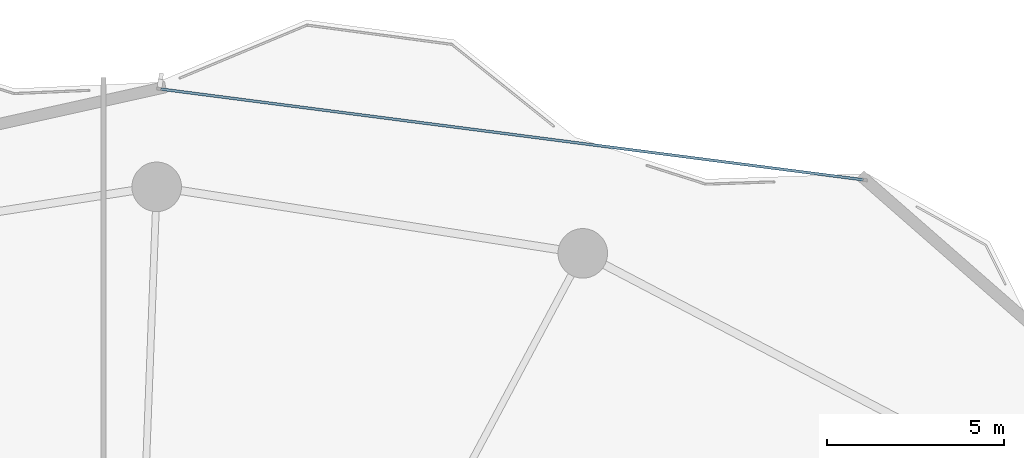
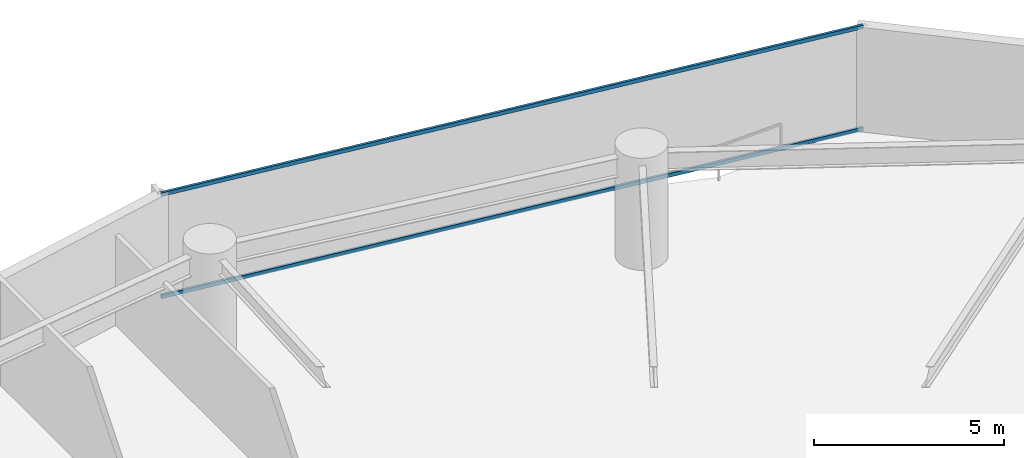
# One storey, part 21 of 32: 2 members, 1 element without a shape of its own.
"""IFC4 building model written with IfcOpenShell, lengths in metres."""

from ifc_helpers import new_model, si_unit, direction, frame, origin, origin_2d, place, context, subcontext, project, spatial, hollow_rectangle, extrude, material, layer, layer_set, material_profile, profile_set, type_object, element, aggregate, save


model = new_model("IFC4")

# Units and contexts
model_context = context("Model", 3, precision=1e-05, world=origin(), true_north=direction((0.0, 1.0)))
body_context = subcontext(model_context, "Body", "Model", "MODEL_VIEW")
ifc_project = project(units=[si_unit("LENGTHUNIT", "METRE"), si_unit("AREAUNIT", "SQUARE_METRE"), si_unit("VOLUMEUNIT", "CUBIC_METRE"), si_unit("PLANEANGLEUNIT", "RADIAN"), si_unit("MASSUNIT", "GRAM", prefix="KILO")], contexts=[model_context])

# Site, building, storey
site_placement = place(None, origin())
site = spatial("IfcSite", under=ifc_project, at=site_placement, CompositionType="ELEMENT")
building_placement = place(site_placement, origin())
building = spatial("IfcBuilding", under=site, at=building_placement, Name="Kazevale Care Tower and Concert Hall", CompositionType="ELEMENT")
storey_placement = place(building_placement, frame((0.0, 0.0, 38.39990234375)))
storey = spatial("IfcBuildingStorey", under=building, at=storey_placement, Name="L09", CompositionType="ELEMENT", Elevation=38.39990234375)

# Curtain wall, members
ifc_material_1 = material(Name="Aluminium 6063-T6 and Low-E Glass", Category="aluminium")
ifc_layer = layer(ifc_material_1, 0.179931640625)
ifc_layer_set = layer_set([ifc_layer], Name="Aluminium 6063-T6 and Low-E Glass")
curtain_wall_type = type_object("IfcCurtainWallType", Name="Convex Recessed Sunroom Curtain Wall CW-3", PredefinedType="NOTDEFINED", material=ifc_layer_set)
curtain_wall_placement = place(storey_placement, origin())
curtain_wall = element("IfcCurtainWall", 1, at=curtain_wall_placement, inside=storey, type_object=curtain_wall_type, Name="cw:L09:f16", PredefinedType="NOTDEFINED")
ifc_material_2 = material(Name="Aluminium 6063-T6", Category="aluminium")
ifc_material_profile = material_profile(ifc_material_2, hollow_rectangle(XDim=0.074951171875, YDim=0.1201171875, WallThickness=0.00390625, at=origin_2d()), Name="ALU75x120x4")
ifc_profile_set = profile_set([ifc_material_profile], Name="Aluminium 6063-T6")
member_type = type_object("IfcMemberType", Name="CW-3 Transom ALU75x120x4", PredefinedType="USERDEFINED", material=ifc_profile_set)
member_1_placement = place(storey_placement, frame((45.114501953125, 65.412353515625, 0.03759765625), z_axis=(0.991763328336, -0.128083959056, 0.0), x_axis=(0.128083959056, 0.991763328336, 0.0)))
member_1 = element("IfcMember", 2, at=member_1_placement, type_object=member_type, Name="CW-3 transom 1.1", ObjectType="TRANSOM", PredefinedType="USERDEFINED", context=body_context, shape_type="SweptSolid", body=[
    extrude(hollow_rectangle(XDim=0.074951171875, YDim=0.1201171875, WallThickness=0.00390625, at=origin_2d()), origin(), (0.0, 0.0, 1.0), 20.015869140625),
])
member_2_placement = place(storey_placement, frame((45.114501953125, 65.412353515625, 3.322509765625), z_axis=(0.991763328336, -0.128083959056, 0.0), x_axis=(0.128083959056, 0.991763328336, 0.0)))
member_2 = element("IfcMember", 3, at=member_2_placement, type_object=member_type, Name="CW-3 transom 1.2", ObjectType="TRANSOM", PredefinedType="USERDEFINED", context=body_context, shape_type="SweptSolid", body=[
    extrude(hollow_rectangle(XDim=0.074951171875, YDim=0.1201171875, WallThickness=0.00390625, at=origin_2d()), origin(), (0.0, 0.0, 1.0), 20.015869140625),
])
aggregate(curtain_wall, [member_1, member_2])

save(model, "model.ifc")
